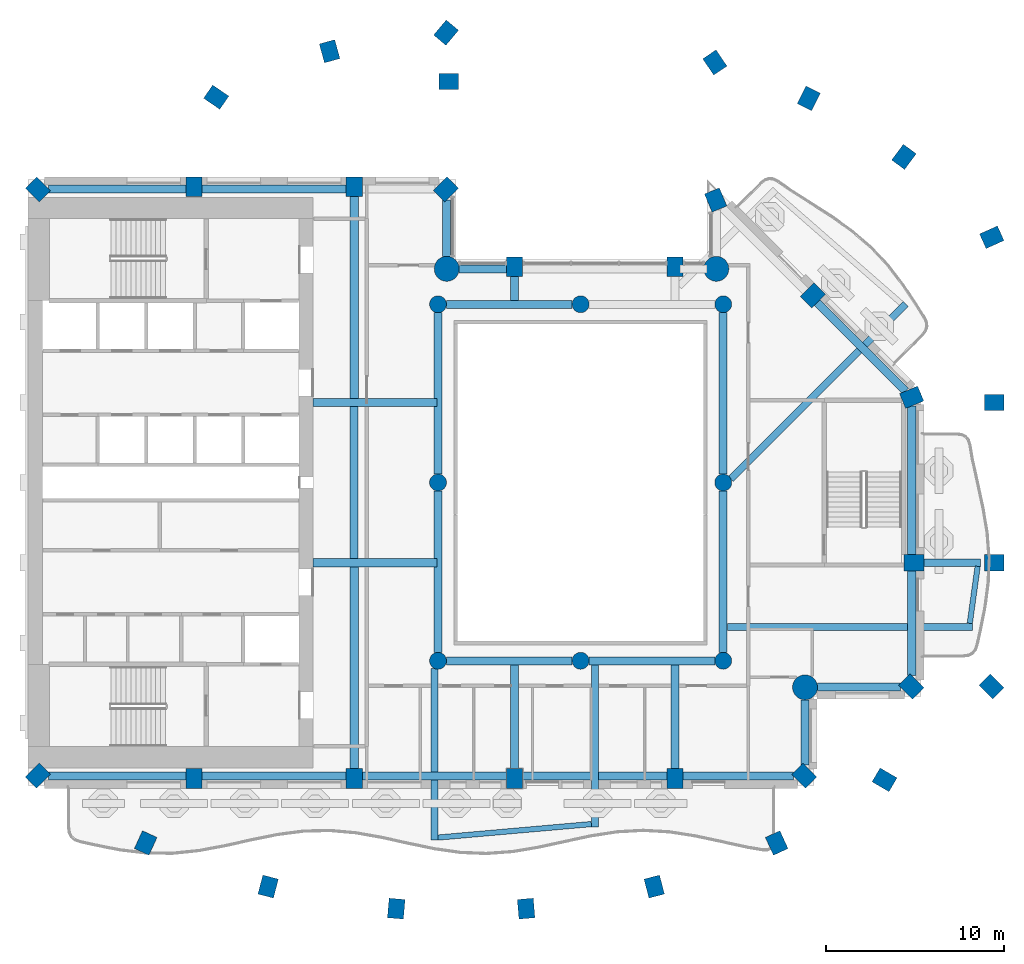
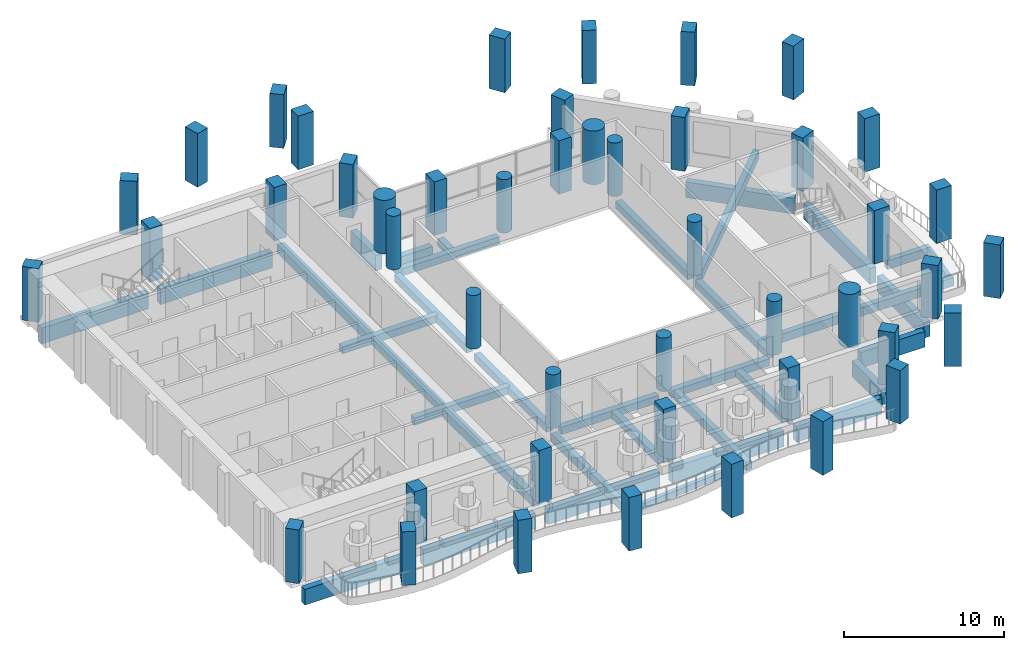
# One storey, part 1 of 15: 46 columns, 36 beams.
"""IFC4 building model written with IfcOpenShell, lengths in metres."""

from ifc_helpers import new_model, si_unit, direction, frame, origin, origin_2d, place, context, subcontext, project, spatial, rectangle, circle, extrude, material, material_profile, profile_set, type_object, element, save


model = new_model("IFC4")

# Units and contexts
model_context = context("Model", 3, precision=1e-05, world=origin(), true_north=direction((0.0, 1.0)))
body_context = subcontext(model_context, "Body", "Model", "MODEL_VIEW")
ifc_project = project(units=[si_unit("LENGTHUNIT", "METRE"), si_unit("AREAUNIT", "SQUARE_METRE"), si_unit("VOLUMEUNIT", "CUBIC_METRE"), si_unit("PLANEANGLEUNIT", "RADIAN"), si_unit("MASSUNIT", "GRAM", prefix="KILO")], contexts=[model_context])

# Site, building, storey
site_placement = place(None, origin())
site = spatial("IfcSite", under=ifc_project, at=site_placement, CompositionType="ELEMENT")
building_placement = place(site_placement, origin())
building = spatial("IfcBuilding", under=site, at=building_placement, Name="Cypress Arch Tower", CompositionType="ELEMENT")
storey_placement = place(building_placement, frame((0.0, 0.0, 164.60009765625)))
storey = spatial("IfcBuildingStorey", under=building, at=storey_placement, Name="L35", CompositionType="ELEMENT", Elevation=164.60009765625)

# Columns
ifc_material_1 = material(Name="Concrete C70/85", Category="concrete")
ifc_material_profile_1 = material_profile(ifc_material_1, rectangle(XDim=0.89990234375, YDim=1.10009765625, at=origin_2d()), Name="RC 900x1100")
ifc_profile_set_1 = profile_set([ifc_material_profile_1], Name="Concrete C70/85")
column_type_1 = type_object("IfcColumnType", Name="Column RC 900x1100 Concrete C70/85", PredefinedType="COLUMN", material=ifc_profile_set_1)
for number, where, z_axis, x_axis, name in (
    (1, (-29.44287109375, 16.44287109375, 0.0), (0.0, 0.0, 1.0), (-0.707106781187, -0.707106781187, 0.0), "Column L35 CB00"),
    (2, (-29.44287109375, -16.44287109375, 0.0), (0.0, 0.0, 1.0), (0.707106781187, -0.707106781187, 0.0), "Column L35 CB01"),
    (3, (-20.699951171875, -16.60009765625, 0.0), (0.0, 0.0, 1.0), (1.0, 0.0, 0.0), "Column L35 CB02"),
    (4, (-11.699951171875, -16.60009765625, 0.0), (0.0, 0.0, 1.0), (1.0, 0.0, 0.0), "Column L35 CB03"),
    (5, (-2.699951171875, -16.60009765625, 0.0), (0.0, 0.0, 1.0), (1.0, 0.0, 0.0), "Column L35 CB04"),
    (6, (6.300048828125, -16.60009765625, 0.0), (0.0, 0.0, 1.0), (1.0, 0.0, 0.0), "Column L35 CB05"),
    (7, (13.54296875, -16.44287109375, 0.0), (0.0, 0.0, 1.0), (0.707106781187, 0.707106781187, 0.0), "Column L35 CB06"),
    (8, (19.54296875, -11.44287109375, 0.0), (0.0, 0.0, 1.0), (0.707106781187, 0.707106781187, 0.0), "Column L35 CB08"),
    (9, (19.699951171875, -4.5, 0.0), (0.0, 0.0, 1.0), (0.0, 1.0, 0.0), "Column L35 CB09"),
    (10, (19.569580078125, 4.7802734375, 0.0), (0.0, 0.0, 1.0), (-0.382683496864, 0.923879505795, 0.0), "Column L35 CB10"),
    (11, (14.029296875, 10.505126953125, 0.0), (0.0, 0.0, 1.0), (-0.707106781187, 0.707106781187, 0.0), "Column L35 CB11"),
    (12, (8.576171875, 15.850341796875, 0.0), (0.0, 0.0, 1.0), (-0.923879672772, -0.382683093746, 0.0), "Column L35 CB12"),
    (13, (6.300048828125, 12.10009765625, 0.0), (0.0, 0.0, 1.0), (-1.0, 0.0, 0.0), "Column L35 CB14"),
    (14, (-2.699951171875, 12.10009765625, 0.0), (0.0, 0.0, 1.0), (-1.0, 0.0, 0.0), "Column L35 CB15"),
    (15, (-6.55712890625, 16.44287109375, 0.0), (0.0, 0.0, 1.0), (-0.707106781187, 0.707106781187, 0.0), "Column L35 CB17"),
    (16, (-11.699951171875, 16.60009765625, 0.0), (0.0, 0.0, 1.0), (-1.0, 0.0, 0.0), "Column L35 CB18"),
    (17, (-20.699951171875, 16.60009765625, 0.0), (0.0, 0.0, 1.0), (-1.0, 0.0, 0.0), "Column L35 CB19"),
    (18, (8.53076171875, 23.564697265625, 0.0), (0.0, 0.0, 1.0), (-0.828469606019, -0.560034027451, 0.0), "Column L35 CQ00"),
    (19, (-6.39990234375, 22.5, 0.0), (0.0, 0.0, 1.0), (0.0, 1.0, 0.0), "Column L35 CQ01"),
    (20, (-6.54833984375, 25.236572265625, 0.0), (0.0, 0.0, 1.0), (-0.766063514674, 0.642764880407, 0.0), "Column L35 CQ02"),
    (21, (-13.081298828125, 24.193359375, 0.0), (0.0, 0.0, 1.0), (-0.96345574646, -0.267867550506, 0.0), "Column L35 CQ03"),
    (22, (-19.44189453125, 21.616943359375, 0.0), (0.0, 0.0, 1.0), (-0.565892599589, -0.824478966215, 0.0), "Column L35 CQ04"),
    (23, (-23.398193359375, -20.221435546875, 0.0), (0.0, 0.0, 1.0), (0.909932071487, -0.414757308891, 0.0), "Column L35 CQ05"),
    (24, (-16.529052734375, -22.666259765625, 0.0), (0.0, 0.0, 1.0), (0.96735573689, -0.2534223319, 0.0), "Column L35 CQ06"),
    (25, (-9.3427734375, -23.903564453125, 0.0), (0.0, 0.0, 1.0), (0.996368206733, -0.085149260784, 0.0), "Column L35 CQ07"),
    (26, (-2.057373046875, -23.903564453125, 0.0), (0.0, 0.0, 1.0), (0.996368206733, 0.085149260784, 0.0), "Column L35 CQ08"),
    (27, (5.12890625, -22.666259765625, 0.0), (0.0, 0.0, 1.0), (0.96735573689, 0.2534223319, 0.0), "Column L35 CQ09"),
    (28, (11.998291015625, -20.221435546875, 0.0), (0.0, 0.0, 1.0), (0.909932071487, 0.414757308891, 0.0), "Column L35 CQ10"),
    (29, (18.048095703125, -16.677490234375, 0.0), (0.0, 0.0, 1.0), (0.504399289829, 0.86347053014, 0.0), "Column L35 CQ11"),
    (30, (24.04296875, -11.44287109375, 0.0), (0.0, 0.0, 1.0), (0.707106781187, 0.707106781187, 0.0), "Column L35 CQ12"),
    (31, (24.199951171875, -4.5, 0.0), (0.0, 0.0, 1.0), (0.0, 1.0, 0.0), "Column L35 CQ13"),
    (32, (24.199951171875, 4.5, 0.0), (0.0, 0.0, 1.0), (0.0, 1.0, 0.0), "Column L35 CQ14"),
    (33, (24.06396484375, 13.75927734375, 0.0), (0.0, 0.0, 1.0), (-0.409765058504, 0.912191096662, 0.0), "Column L35 CQ15"),
    (34, (19.13818359375, 18.267578125, 0.0), (0.0, 0.0, 1.0), (-0.802798546114, 0.596250362144, 0.0), "Column L35 CQ16"),
    (35, (13.80322265625, 21.549072265625, 0.0), (0.0, 0.0, 1.0), (-0.893106499805, 0.44984528452, 0.0), "Column L35 CQ17"),
):
    element("IfcColumn", number, at=place(storey_placement, frame(where, z_axis=z_axis, x_axis=x_axis)), inside=storey, type_object=column_type_1, Name=name, PredefinedType="COLUMN", context=body_context, shape_type="SweptSolid", body=[
        extrude(rectangle(XDim=0.89990234375, YDim=1.10009765625, at=origin_2d()), origin(), (0.0, 0.0, 1.0), 4.099853515625),
    ])
ifc_material_2 = material(Name="Concrete C70/85", Category="concrete")
ifc_material_profile_2 = material_profile(ifc_material_2, circle(Radius=0.47509765625, at=origin_2d()), Name="RC D950")
ifc_profile_set_2 = profile_set([ifc_material_profile_2], Name="Concrete C70/85")
column_type_2 = type_object("IfcColumnType", Name="Column RC D950 Concrete C70/85", PredefinedType="COLUMN", material=ifc_profile_set_2)
for number, where, z_axis, x_axis, name in (
    (36, (-7.0, -10.0, 0.0), (0.0, 0.0, 1.0), (1.0, 0.0, 0.0), "Column L35 RNG-L35-G-7-10"),
    (37, (-7.0, 0.0, 0.0), (0.0, 0.0, 1.0), (1.0, 0.0, 0.0), "Column L35 RNG-L35-G-7+0"),
    (38, (-7.0, 10.0, 0.0), (0.0, 0.0, 1.0), (1.0, 0.0, 0.0), "Column L35 RNG-L35-G-7+10"),
    (39, (1.0, -10.0, 0.0), (0.0, 0.0, 1.0), (1.0, 0.0, 0.0), "Column L35 RNG-L35-G+1-10"),
    (40, (1.0, 10.0, 0.0), (0.0, 0.0, 1.0), (1.0, 0.0, 0.0), "Column L35 RNG-L35-G+1+10"),
    (41, (9.0, -10.0, 0.0), (0.0, 0.0, 1.0), (1.0, 0.0, 0.0), "Column L35 RNG-L35-G+9-10"),
    (42, (9.0, 0.0, 0.0), (0.0, 0.0, 1.0), (1.0, 0.0, 0.0), "Column L35 RNG-L35-G+9+0"),
    (43, (9.0, 10.0, 0.0), (0.0, 0.0, 1.0), (1.0, 0.0, 0.0), "Column L35 RNG-L35-G+9+10"),
):
    element("IfcColumn", number, at=place(storey_placement, frame(where, z_axis=z_axis, x_axis=x_axis)), inside=storey, type_object=column_type_2, Name=name, PredefinedType="COLUMN", context=body_context, shape_type="SweptSolid", body=[
        extrude(circle(Radius=0.47509765625, at=origin_2d()), origin(), (0.0, 0.0, 1.0), 4.099853515625),
    ])
ifc_material_3 = material(Name="Concrete C70/85", Category="concrete")
ifc_material_profile_3 = material_profile(ifc_material_3, circle(Radius=0.699951171875, at=origin_2d()), Name="RC D1400")
ifc_profile_set_3 = profile_set([ifc_material_profile_3], Name="Concrete C70/85")
column_type_3 = type_object("IfcColumnType", Name="Mega-column RC D1400 Concrete C70/85", PredefinedType="COLUMN", material=ifc_profile_set_3)
for number, where, z_axis, x_axis, name in (
    (44, (13.587890625, -11.48779296875, 0.0), (0.0, 0.0, 1.0), (1.0, 0.0, 0.0), "Column L35 CB07"),
    (45, (8.612060546875, 11.98779296875, 0.0), (0.0, 0.0, 1.0), (1.0, 0.0, 0.0), "Column L35 CB13"),
    (46, (-6.51220703125, 11.98779296875, 0.0), (0.0, 0.0, 1.0), (1.0, 0.0, 0.0), "Column L35 CB16"),
):
    element("IfcColumn", number, at=place(storey_placement, frame(where, z_axis=z_axis, x_axis=x_axis)), inside=storey, type_object=column_type_3, Name=name, PredefinedType="COLUMN", context=body_context, shape_type="SweptSolid", body=[
        extrude(circle(Radius=0.699951171875, at=origin_2d()), origin(), (0.0, 0.0, 1.0), 4.099853515625),
    ])

# Beams
ifc_material_4 = material(Name="Concrete C50/60", Category="concrete")
ifc_material_profile_4 = material_profile(ifc_material_4, rectangle(XDim=0.300048828125, YDim=0.39990234375, at=origin_2d()), Name="RC 300x400")
ifc_profile_set_4 = profile_set([ifc_material_profile_4], Name="Concrete C50/60")
beam_type_1 = type_object("IfcBeamType", Name="Balcony edge beam RC 300x400 Concrete C50/60", PredefinedType="BEAM", material=ifc_profile_set_4)
beam_1_placement = place(storey_placement, frame((22.8310546875, -7.89990234375, -0.5), z_axis=(0.136499286304, 0.990640169203, 0.0), x_axis=(-0.990640169203, 0.136499286304, 0.0)))
element("IfcBeam", 47, at=beam_1_placement, inside=storey, type_object=beam_type_1, Name="Balcony edge beam L35 B04", PredefinedType="BEAM", context=body_context, shape_type="SweptSolid", body=[
    extrude(rectangle(XDim=0.300048828125, YDim=0.39990234375, at=origin_2d()), origin(), (0.0, 0.0, 1.0), 3.230224609375),
])
ifc_material_5 = material(Name="Concrete C50/60", Category="concrete")
ifc_material_profile_5 = material_profile(ifc_material_5, rectangle(XDim=0.300048828125, YDim=0.449951171875, at=origin_2d()), Name="RC 300x450")
ifc_profile_set_5 = profile_set([ifc_material_profile_5], Name="Concrete C50/60")
beam_type_2 = type_object("IfcBeamType", Name="Balcony edge beam RC 300x450 Concrete C50/60", PredefinedType="BEAM", material=ifc_profile_set_5)
beam_2_placement = place(storey_placement, frame((-7.0, -19.916259765625, -0.525146484375), z_axis=(0.99615747285, 0.087580187742, 0.0), x_axis=(-0.087580187742, 0.99615747285, 0.0)))
element("IfcBeam", 48, at=beam_2_placement, inside=storey, type_object=beam_type_2, Name="Balcony edge beam L35 B01", PredefinedType="BEAM", context=body_context, shape_type="SweptSolid", body=[
    extrude(rectangle(XDim=0.300048828125, YDim=0.449951171875, at=origin_2d()), origin(), (0.0, 0.0, 1.0), 8.63330078125),
])
ifc_material_6 = material(Name="Concrete C50/60", Category="concrete")
ifc_material_profile_6 = material_profile(ifc_material_6, rectangle(XDim=0.39990234375, YDim=0.64990234375, at=origin_2d()), Name="RC 400x650")
ifc_profile_set_6 = profile_set([ifc_material_profile_6], Name="Concrete C50/60")
beam_type_3 = type_object("IfcBeamType", Name="Cantilever beam RC 400x650 Concrete C50/60", PredefinedType="BEAM", material=ifc_profile_set_6)
beam_3_placement = place(storey_placement, frame((-7.199951171875, -10.4306640625, -0.625), z_axis=(0.0, -1.0, 0.0), x_axis=(1.0, 0.0, 0.0)))
element("IfcBeam", 49, at=beam_3_placement, inside=storey, type_object=beam_type_3, Name="Cantilever beam L35 B01 1", PredefinedType="BEAM", context=body_context, shape_type="SweptSolid", body=[
    extrude(rectangle(XDim=0.39990234375, YDim=0.64990234375, at=origin_2d()), origin(), (0.0, 0.0, 1.0), 9.6357421875),
])
beam_4_placement = place(storey_placement, frame((1.800048828125, -10.22509765625, -0.625), z_axis=(0.0, -1.0, 0.0), x_axis=(1.0, 0.0, 0.0)))
element("IfcBeam", 50, at=beam_4_placement, inside=storey, type_object=beam_type_3, Name="Cantilever beam L35 B01 2", PredefinedType="BEAM", context=body_context, shape_type="SweptSolid", body=[
    extrude(rectangle(XDim=0.39990234375, YDim=0.64990234375, at=origin_2d()), origin(), (0.0, 0.0, 1.0), 9.0849609375),
])
beam_5_placement = place(storey_placement, frame((9.22509765625, -8.10009765625, -0.625), z_axis=(1.0, 0.0, 0.0), x_axis=(0.0, 1.0, 0.0)))
element("IfcBeam", 51, at=beam_5_placement, inside=storey, type_object=beam_type_3, Name="Cantilever beam L35 B04 1", PredefinedType="BEAM", context=body_context, shape_type="SweptSolid", body=[
    extrude(rectangle(XDim=0.39990234375, YDim=0.64990234375, at=origin_2d()), origin(), (0.0, 0.0, 1.0), 13.756103515625),
])
beam_6_placement = place(storey_placement, frame((20.25, -4.5, -0.625), z_axis=(1.0, 0.0, 0.0), x_axis=(0.0, 1.0, 0.0)))
element("IfcBeam", 52, at=beam_6_placement, inside=storey, type_object=beam_type_3, Name="Cantilever beam L35 B04 2", PredefinedType="BEAM", context=body_context, shape_type="SweptSolid", body=[
    extrude(rectangle(XDim=0.39990234375, YDim=0.64990234375, at=origin_2d()), origin(), (0.0, 0.0, 1.0), 3.171875),
])
beam_7_placement = place(storey_placement, frame((9.4287109375, 0.204345703125, -0.625), z_axis=(0.707097979594, 0.70711558267, 0.0), x_axis=(-0.70711558267, 0.707097979594, 0.0)))
element("IfcBeam", 53, at=beam_7_placement, inside=storey, type_object=beam_type_3, Name="Cantilever beam L35 B05 1", PredefinedType="BEAM", context=body_context, shape_type="SweptSolid", body=[
    extrude(rectangle(XDim=0.39990234375, YDim=0.64990234375, at=origin_2d()), origin(), (0.0, 0.0, 1.0), 13.869140625),
])
ifc_material_7 = material(Name="Concrete C50/60", Category="concrete")
ifc_material_profile_7 = material_profile(ifc_material_7, rectangle(XDim=0.449951171875, YDim=0.550048828125, at=origin_2d()), Name="RC 450x550")
ifc_profile_set_7 = profile_set([ifc_material_profile_7], Name="Concrete C50/60")
beam_type_4 = type_object("IfcBeamType", Name="Floor beam RC 450x550 Concrete C50/60", PredefinedType="BEAM", material=ifc_profile_set_7)
for number, where, z_axis, x_axis, name in (
    (54, (-7.0, -9.52490234375, -0.5751953125), (0.0, 1.0, 0.0), (-1.0, 0.0, 0.0), "Floor beam L35 RB001"),
    (55, (-7.0, 0.47509765625, -0.5751953125), (0.0, 1.0, 0.0), (-1.0, 0.0, 0.0), "Floor beam L35 RB002"),
    (56, (9.0, -9.52490234375, -0.5751953125), (0.0, 1.0, 0.0), (-1.0, 0.0, 0.0), "Floor beam L35 RB003"),
    (57, (9.0, 0.47509765625, -0.5751953125), (0.0, 1.0, 0.0), (-1.0, 0.0, 0.0), "Floor beam L35 RB004"),
):
    element("IfcBeam", number, at=place(storey_placement, frame(where, z_axis=z_axis, x_axis=x_axis)), inside=storey, type_object=beam_type_4, Name=name, PredefinedType="BEAM", context=body_context, shape_type="SweptSolid", body=[
        extrude(rectangle(XDim=0.449951171875, YDim=0.550048828125, at=origin_2d()), origin(), (0.0, 0.0, 1.0), 9.0498046875),
    ])
for number, where, z_axis, x_axis, name in (
    (58, (-6.52490234375, -10.0, -0.5751953125), (1.0, 0.0, 0.0), (0.0, 1.0, 0.0), "Floor beam L35 RB005"),
    (59, (1.47509765625, -10.0, -0.5751953125), (1.0, 0.0, 0.0), (0.0, 1.0, 0.0), "Floor beam L35 RB006"),
    (60, (-6.52490234375, 10.0, -0.5751953125), (1.0, 0.0, 0.0), (0.0, 1.0, 0.0), "Floor beam L35 RB007"),
):
    element("IfcBeam", number, at=place(storey_placement, frame(where, z_axis=z_axis, x_axis=x_axis)), inside=storey, type_object=beam_type_4, Name=name, PredefinedType="BEAM", context=body_context, shape_type="SweptSolid", body=[
        extrude(rectangle(XDim=0.449951171875, YDim=0.550048828125, at=origin_2d()), origin(), (0.0, 0.0, 1.0), 7.0498046875),
    ])
for number, where, z_axis, x_axis, name in (
    (61, (-14.0, -4.5, -0.5751953125), (1.0, 0.0, 0.0), (0.0, 1.0, 0.0), "Floor beam L35 FB009"),
    (62, (-14.0, 4.5, -0.5751953125), (1.0, 0.0, 0.0), (0.0, 1.0, 0.0), "Floor beam L35 FB010"),
):
    element("IfcBeam", number, at=place(storey_placement, frame(where, z_axis=z_axis, x_axis=x_axis)), inside=storey, type_object=beam_type_4, Name=name, PredefinedType="BEAM", context=body_context, shape_type="SweptSolid", body=[
        extrude(rectangle(XDim=0.449951171875, YDim=0.550048828125, at=origin_2d()), origin(), (0.0, 0.0, 1.0), 6.949951171875),
    ])
beam_8_placement = place(storey_placement, frame((-11.699951171875, -4.27490234375, -0.5751953125), z_axis=(0.0, 1.0, 0.0), x_axis=(-1.0, 0.0, 0.0)))
element("IfcBeam", 63, at=beam_8_placement, inside=storey, type_object=beam_type_4, Name="Floor beam L35 FB012", PredefinedType="BEAM", context=body_context, shape_type="SweptSolid", body=[
    extrude(rectangle(XDim=0.449951171875, YDim=0.550048828125, at=origin_2d()), origin(), (0.0, 0.0, 1.0), 8.5498046875),
])
beam_9_placement = place(storey_placement, frame((-2.699951171875, -16.050048828125, -0.5751953125), z_axis=(0.0, 1.0, 0.0), x_axis=(-1.0, 0.0, 0.0)))
element("IfcBeam", 64, at=beam_9_placement, inside=storey, type_object=beam_type_4, Name="Floor beam L35 FB014", PredefinedType="BEAM", context=body_context, shape_type="SweptSolid", body=[
    extrude(rectangle(XDim=0.449951171875, YDim=0.550048828125, at=origin_2d()), origin(), (0.0, 0.0, 1.0), 5.824951171875),
])
beam_10_placement = place(storey_placement, frame((-2.699951171875, 10.22509765625, -0.5751953125), z_axis=(0.0, 1.0, 0.0), x_axis=(-1.0, 0.0, 0.0)))
element("IfcBeam", 65, at=beam_10_placement, inside=storey, type_object=beam_type_4, Name="Floor beam L35 FB015", PredefinedType="BEAM", context=body_context, shape_type="SweptSolid", body=[
    extrude(rectangle(XDim=0.449951171875, YDim=0.550048828125, at=origin_2d()), origin(), (0.0, 0.0, 1.0), 1.324951171875),
])
beam_11_placement = place(storey_placement, frame((6.300048828125, -16.050048828125, -0.5751953125), z_axis=(0.0, 1.0, 0.0), x_axis=(-1.0, 0.0, 0.0)))
element("IfcBeam", 66, at=beam_11_placement, inside=storey, type_object=beam_type_4, Name="Floor beam L35 FB016", PredefinedType="BEAM", context=body_context, shape_type="SweptSolid", body=[
    extrude(rectangle(XDim=0.449951171875, YDim=0.550048828125, at=origin_2d()), origin(), (0.0, 0.0, 1.0), 5.824951171875),
])
ifc_material_8 = material(Name="Concrete C50/60", Category="concrete")
ifc_material_profile_8 = material_profile(ifc_material_8, rectangle(XDim=0.5, YDim=0.64990234375, at=origin_2d()), Name="RC 500x650")
ifc_profile_set_8 = profile_set([ifc_material_profile_8], Name="Concrete C50/60")
beam_type_5 = type_object("IfcBeamType", Name="Floor beam RC 500x650 Concrete C50/60", PredefinedType="BEAM", material=ifc_profile_set_8)
for number, where, z_axis, x_axis, name in (
    (67, (-11.699951171875, -16.050048828125, -0.625), (0.0, 1.0, 0.0), (-1.0, 0.0, 0.0), "Floor beam L35 FB011"),
    (68, (-11.699951171875, 4.72509765625, -0.625), (0.0, 1.0, 0.0), (-1.0, 0.0, 0.0), "Floor beam L35 FB013"),
):
    element("IfcBeam", number, at=place(storey_placement, frame(where, z_axis=z_axis, x_axis=x_axis)), inside=storey, type_object=beam_type_5, Name=name, PredefinedType="BEAM", context=body_context, shape_type="SweptSolid", body=[
        extrude(rectangle(XDim=0.5, YDim=0.64990234375, at=origin_2d()), origin(), (0.0, 0.0, 1.0), 11.324951171875),
    ])
ifc_material_9 = material(Name="Concrete C50/60", Category="concrete")
ifc_material_profile_9 = material_profile(ifc_material_9, rectangle(XDim=0.449951171875, YDim=1.199951171875, at=origin_2d()), Name="RC 450x1200")
ifc_profile_set_9 = profile_set([ifc_material_profile_9], Name="Concrete C50/60")
beam_type_6 = type_object("IfcBeamType", Name="Spandrel beam RC 450x1200 Concrete C50/60", PredefinedType="SPANDREL", material=ifc_profile_set_9)
beam_12_placement = place(storey_placement, frame((-28.838623046875, -16.47509765625, -1.550048828125), z_axis=(1.0, 0.0, 0.0), x_axis=(0.0, 1.0, 0.0)))
element("IfcBeam", 69, at=beam_12_placement, inside=storey, type_object=beam_type_6, Name="Spandrel beam L35 BB01-0", PredefinedType="SPANDREL", context=body_context, shape_type="SweptSolid", body=[
    extrude(rectangle(XDim=0.449951171875, YDim=1.199951171875, at=origin_2d()), origin(), (0.0, 0.0, 1.0), 7.688720703125),
])
for number, where, z_axis, x_axis, name in (
    (70, (-20.25, -16.47509765625, -1.550048828125), (1.0, 0.0, 0.0), (0.0, 1.0, 0.0), "Spandrel beam L35 BB01-1"),
    (71, (-11.25, -16.47509765625, -1.550048828125), (1.0, 0.0, 0.0), (0.0, 1.0, 0.0), "Spandrel beam L35 BB01-2"),
    (72, (-2.25, -16.47509765625, -1.550048828125), (1.0, 0.0, 0.0), (0.0, 1.0, 0.0), "Spandrel beam L35 BB01-3"),
):
    element("IfcBeam", number, at=place(storey_placement, frame(where, z_axis=z_axis, x_axis=x_axis)), inside=storey, type_object=beam_type_6, Name=name, PredefinedType="SPANDREL", context=body_context, shape_type="SweptSolid", body=[
        extrude(rectangle(XDim=0.449951171875, YDim=1.199951171875, at=origin_2d()), origin(), (0.0, 0.0, 1.0), 8.10009765625),
    ])
beam_13_placement = place(storey_placement, frame((6.75, -16.47509765625, -1.550048828125), z_axis=(1.0, 0.0, 0.0), x_axis=(0.0, 1.0, 0.0)))
element("IfcBeam", 73, at=beam_13_placement, inside=storey, type_object=beam_type_6, Name="Spandrel beam L35 BB01-4", PredefinedType="SPANDREL", context=body_context, shape_type="SweptSolid", body=[
    extrude(rectangle(XDim=0.449951171875, YDim=1.199951171875, at=origin_2d()), origin(), (0.0, 0.0, 1.0), 6.188720703125),
])
beam_14_placement = place(storey_placement, frame((13.574951171875, -15.838623046875, -1.550048828125), z_axis=(0.0, 1.0, 0.0), x_axis=(-1.0, 0.0, 0.0)))
element("IfcBeam", 74, at=beam_14_placement, inside=storey, type_object=beam_type_6, Name="Spandrel beam L35 BB02-0", PredefinedType="SPANDREL", context=body_context, shape_type="SweptSolid", body=[
    extrude(rectangle(XDim=0.449951171875, YDim=1.199951171875, at=origin_2d()), origin(), (0.0, 0.0, 1.0), 3.651123046875),
])
beam_15_placement = place(storey_placement, frame((14.28759765625, -11.47509765625, -1.550048828125), z_axis=(1.0, 0.0, 0.0), x_axis=(0.0, 1.0, 0.0)))
element("IfcBeam", 75, at=beam_15_placement, inside=storey, type_object=beam_type_6, Name="Spandrel beam L35 BB03-0", PredefinedType="SPANDREL", context=body_context, shape_type="SweptSolid", body=[
    extrude(rectangle(XDim=0.449951171875, YDim=1.199951171875, at=origin_2d()), origin(), (0.0, 0.0, 1.0), 4.651123046875),
])
beam_16_placement = place(storey_placement, frame((19.574951171875, -10.838623046875, -1.550048828125), z_axis=(0.0, 1.0, 0.0), x_axis=(-1.0, 0.0, 0.0)))
element("IfcBeam", 76, at=beam_16_placement, inside=storey, type_object=beam_type_6, Name="Spandrel beam L35 BB04-0", PredefinedType="SPANDREL", context=body_context, shape_type="SweptSolid", body=[
    extrude(rectangle(XDim=0.449951171875, YDim=1.199951171875, at=origin_2d()), origin(), (0.0, 0.0, 1.0), 5.888671875),
])
beam_17_placement = place(storey_placement, frame((19.574951171875, -4.050048828125, -1.550048828125), z_axis=(0.0, 1.0, 0.0), x_axis=(-1.0, 0.0, 0.0)))
element("IfcBeam", 77, at=beam_17_placement, inside=storey, type_object=beam_type_6, Name="Spandrel beam L35 BB04-1", PredefinedType="SPANDREL", context=body_context, shape_type="SweptSolid", body=[
    extrude(rectangle(XDim=0.449951171875, YDim=1.199951171875, at=origin_2d()), origin(), (0.0, 0.0, 1.0), 8.345458984375),
])
beam_18_placement = place(storey_placement, frame((19.23046875, 5.126953125, -1.550048828125), z_axis=(-0.707106781187, 0.707106781187, 0.0), x_axis=(-0.707106781187, -0.707106781187, 0.0)))
element("IfcBeam", 78, at=beam_18_placement, inside=storey, type_object=beam_type_6, Name="Spandrel beam L35 BB05-0", PredefinedType="SPANDREL", context=body_context, shape_type="SweptSolid", body=[
    extrude(rectangle(XDim=0.449951171875, YDim=1.199951171875, at=origin_2d()), origin(), (0.0, 0.0, 1.0), 7.03076171875),
])
beam_19_placement = place(storey_placement, frame((-3.14990234375, 11.97509765625, -1.550048828125), z_axis=(-1.0, 0.0, 0.0), x_axis=(0.0, -1.0, 0.0)))
element("IfcBeam", 79, at=beam_19_placement, inside=storey, type_object=beam_type_6, Name="Spandrel beam L35 BB07-2", PredefinedType="SPANDREL", context=body_context, shape_type="SweptSolid", body=[
    extrude(rectangle(XDim=0.449951171875, YDim=1.199951171875, at=origin_2d()), origin(), (0.0, 0.0, 1.0), 2.66259765625),
])
beam_20_placement = place(storey_placement, frame((-6.52490234375, 12.6875, -1.550048828125), z_axis=(0.0, 1.0, 0.0), x_axis=(-1.0, 0.0, 0.0)))
element("IfcBeam", 80, at=beam_20_placement, inside=storey, type_object=beam_type_6, Name="Spandrel beam L35 BB08-0", PredefinedType="SPANDREL", context=body_context, shape_type="SweptSolid", body=[
    extrude(rectangle(XDim=0.449951171875, YDim=1.199951171875, at=origin_2d()), origin(), (0.0, 0.0, 1.0), 3.151123046875),
])
beam_21_placement = place(storey_placement, frame((-12.14990234375, 16.47509765625, -1.550048828125), z_axis=(-1.0, 0.0, 0.0), x_axis=(0.0, -1.0, 0.0)))
element("IfcBeam", 81, at=beam_21_placement, inside=storey, type_object=beam_type_6, Name="Spandrel beam L35 BB09-1", PredefinedType="SPANDREL", context=body_context, shape_type="SweptSolid", body=[
    extrude(rectangle(XDim=0.449951171875, YDim=1.199951171875, at=origin_2d()), origin(), (0.0, 0.0, 1.0), 8.10009765625),
])
beam_22_placement = place(storey_placement, frame((-21.14990234375, 16.47509765625, -1.550048828125), z_axis=(-1.0, 0.0, 0.0), x_axis=(0.0, -1.0, 0.0)))
element("IfcBeam", 82, at=beam_22_placement, inside=storey, type_object=beam_type_6, Name="Spandrel beam L35 BB09-2", PredefinedType="SPANDREL", context=body_context, shape_type="SweptSolid", body=[
    extrude(rectangle(XDim=0.449951171875, YDim=1.199951171875, at=origin_2d()), origin(), (0.0, 0.0, 1.0), 7.688720703125),
])

save(model, "model.ifc")
